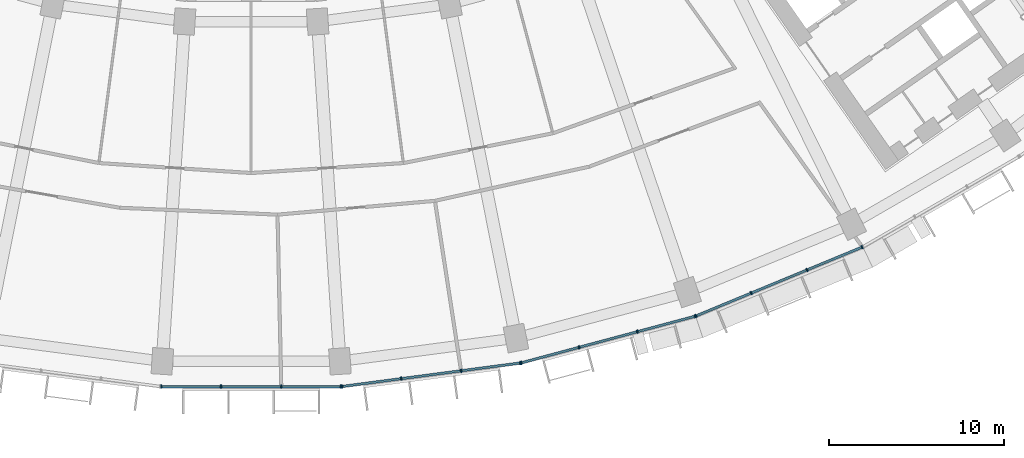
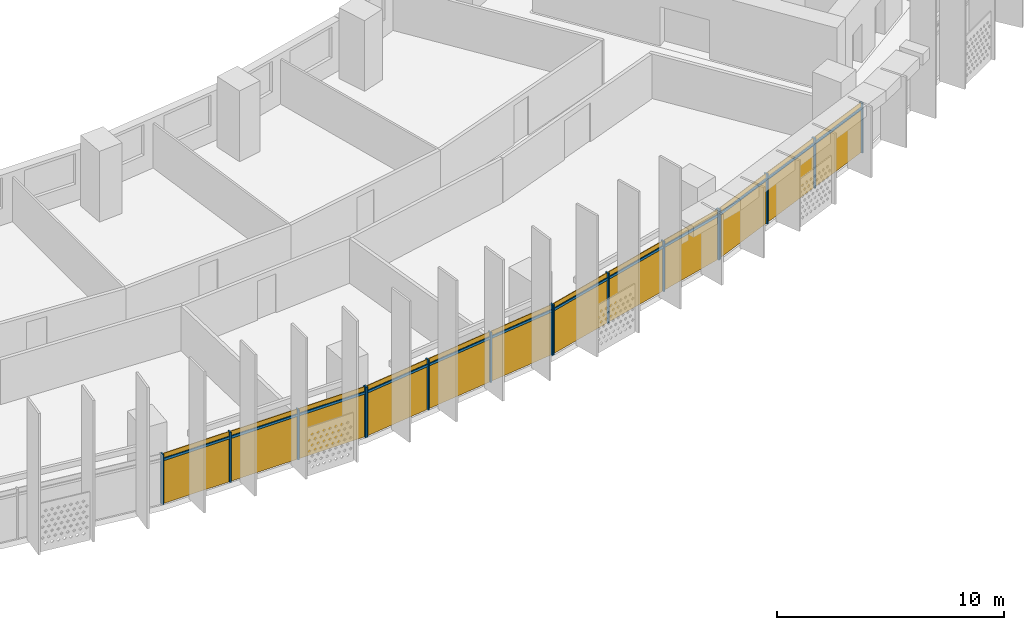
# One storey, part 20 of 29: 28 members, 4 curtain walls.
"""IFC4 building model written with IfcOpenShell, lengths in metres."""

from ifc_helpers import new_model, si_unit, direction, frame, origin, origin_2d, place, context, subcontext, project, spatial, rectangle, extrude, material, material_profile, profile_set, type_object, element, aggregate, save


model = new_model("IFC4")

# Units and contexts
model_context = context("Model", 3, precision=1e-05, world=origin(), true_north=direction((0.0, 1.0)))
body_context = subcontext(model_context, "Body", "Model", "MODEL_VIEW")
ifc_project = project(units=[si_unit("LENGTHUNIT", "METRE"), si_unit("AREAUNIT", "SQUARE_METRE"), si_unit("VOLUMEUNIT", "CUBIC_METRE"), si_unit("PLANEANGLEUNIT", "RADIAN"), si_unit("MASSUNIT", "GRAM", prefix="KILO")], contexts=[model_context])

# Member
ifc_material = material(Name="Aluminium 6063-T6 anodised", Category="aluminium")
ifc_material_profile_1 = material_profile(ifc_material, rectangle(XDim=0.199951171875, YDim=0.070068359375, at=origin_2d()))
ifc_profile_set_1 = profile_set([ifc_material_profile_1], Name="Aluminium 6063-T6 anodised")
member_type_1 = type_object("IfcMemberType", Name="Mullion 70 x 200 aluminium", PredefinedType="MULLION", material=ifc_profile_set_1)
site_placement = place(None, origin())
building_placement = place(site_placement, origin())
storey_placement = place(building_placement, frame((0.0, 0.0, 132.89990234375)))
member_1_placement = place(storey_placement, frame((-5.1513671875, -79.0302734375, 0.0), z_axis=(0.0, 0.0, 1.0), x_axis=(0.0, 1.0, 0.0)))
member_1 = element("IfcMember", 1, at=member_1_placement, type_object=member_type_1, Name="e-cw1-L30-out09/M00", PredefinedType="MULLION", context=body_context, shape_type="SweptSolid", body=[
    extrude(rectangle(XDim=0.199951171875, YDim=0.070068359375, at=origin_2d()), origin(), (0.0, 0.0, 1.0), 2.7001953125),
])

member_2_placement = place(storey_placement, frame((-1.728759765625, -79.0302734375, 0.0), z_axis=(0.0, 0.0, 1.0), x_axis=(0.0, 1.0, 0.0)))
member_2 = element("IfcMember", 2, at=member_2_placement, type_object=member_type_1, Name="e-cw1-L30-out09/M01", PredefinedType="MULLION", context=body_context, shape_type="SweptSolid", body=[
    extrude(rectangle(XDim=0.199951171875, YDim=0.070068359375, at=origin_2d()), origin(), (0.0, 0.0, 1.0), 2.7001953125),
])

member_3_placement = place(storey_placement, frame((1.728759765625, -79.0302734375, 0.0), z_axis=(0.0, 0.0, 1.0), x_axis=(0.0, 1.0, 0.0)))
member_3 = element("IfcMember", 3, at=member_3_placement, type_object=member_type_1, Name="e-cw1-L30-out09/M02", PredefinedType="MULLION", context=body_context, shape_type="SweptSolid", body=[
    extrude(rectangle(XDim=0.199951171875, YDim=0.070068359375, at=origin_2d()), origin(), (0.0, 0.0, 1.0), 2.7001953125),
])

member_4_placement = place(storey_placement, frame((5.1513671875, -79.0302734375, 0.0), z_axis=(0.0, 0.0, 1.0), x_axis=(0.0, 1.0, 0.0)))
member_4 = element("IfcMember", 4, at=member_4_placement, type_object=member_type_1, Name="e-cw1-L30-out09/M03", PredefinedType="MULLION", context=body_context, shape_type="SweptSolid", body=[
    extrude(rectangle(XDim=0.199951171875, YDim=0.070068359375, at=origin_2d()), origin(), (0.0, 0.0, 1.0), 2.7001953125),
])

member_5_placement = place(storey_placement, frame((5.2080078125, -79.026611328125, 0.0), z_axis=(0.0, 0.0, 1.0), x_axis=(-0.13052619222, 0.991444861374, 0.0)))
member_5 = element("IfcMember", 5, at=member_5_placement, type_object=member_type_1, Name="e-cw1-L30-out10/M00", PredefinedType="MULLION", context=body_context, shape_type="SweptSolid", body=[
    extrude(rectangle(XDim=0.199951171875, YDim=0.070068359375, at=origin_2d()), origin(), (0.0, 0.0, 1.0), 2.7001953125),
])

member_6_placement = place(storey_placement, frame((8.6015625, -78.579833984375, 0.0), z_axis=(0.0, 0.0, 1.0), x_axis=(-0.13052619222, 0.991444861374, 0.0)))
member_6 = element("IfcMember", 6, at=member_6_placement, type_object=member_type_1, Name="e-cw1-L30-out10/M01", PredefinedType="MULLION", context=body_context, shape_type="SweptSolid", body=[
    extrude(rectangle(XDim=0.199951171875, YDim=0.070068359375, at=origin_2d()), origin(), (0.0, 0.0, 1.0), 2.7001953125),
])

member_7_placement = place(storey_placement, frame((12.029541015625, -78.12841796875, 0.0), z_axis=(0.0, 0.0, 1.0), x_axis=(-0.13052619222, 0.991444861374, 0.0)))
member_7 = element("IfcMember", 7, at=member_7_placement, type_object=member_type_1, Name="e-cw1-L30-out10/M02", PredefinedType="MULLION", context=body_context, shape_type="SweptSolid", body=[
    extrude(rectangle(XDim=0.199951171875, YDim=0.070068359375, at=origin_2d()), origin(), (0.0, 0.0, 1.0), 2.7001953125),
])

member_8_placement = place(storey_placement, frame((15.4228515625, -77.681640625, 0.0), z_axis=(0.0, 0.0, 1.0), x_axis=(-0.13052619222, 0.991444861374, 0.0)))
member_8 = element("IfcMember", 8, at=member_8_placement, type_object=member_type_1, Name="e-cw1-L30-out10/M03", PredefinedType="MULLION", context=body_context, shape_type="SweptSolid", body=[
    extrude(rectangle(XDim=0.199951171875, YDim=0.070068359375, at=origin_2d()), origin(), (0.0, 0.0, 1.0), 2.7001953125),
])

member_9_placement = place(storey_placement, frame((15.478515625, -77.670654296875, 0.0), z_axis=(0.0, 0.0, 1.0), x_axis=(-0.258819045103, 0.965925826289, 0.0)))
member_9 = element("IfcMember", 9, at=member_9_placement, type_object=member_type_1, Name="e-cw1-L30-out11/M00", PredefinedType="MULLION", context=body_context, shape_type="SweptSolid", body=[
    extrude(rectangle(XDim=0.199951171875, YDim=0.070068359375, at=origin_2d()), origin(), (0.0, 0.0, 1.0), 2.7001953125),
])

member_10_placement = place(storey_placement, frame((18.78466796875, -76.78466796875, 0.0), z_axis=(0.0, 0.0, 1.0), x_axis=(-0.258819045103, 0.965925826289, 0.0)))
member_10 = element("IfcMember", 10, at=member_10_placement, type_object=member_type_1, Name="e-cw1-L30-out11/M01", PredefinedType="MULLION", context=body_context, shape_type="SweptSolid", body=[
    extrude(rectangle(XDim=0.199951171875, YDim=0.070068359375, at=origin_2d()), origin(), (0.0, 0.0, 1.0), 2.7001953125),
])

member_11_placement = place(storey_placement, frame((22.12451171875, -75.889892578125, 0.0), z_axis=(0.0, 0.0, 1.0), x_axis=(-0.258819045103, 0.965925826289, 0.0)))
member_11 = element("IfcMember", 11, at=member_11_placement, type_object=member_type_1, Name="e-cw1-L30-out11/M02", PredefinedType="MULLION", context=body_context, shape_type="SweptSolid", body=[
    extrude(rectangle(XDim=0.199951171875, YDim=0.070068359375, at=origin_2d()), origin(), (0.0, 0.0, 1.0), 2.7001953125),
])

member_12_placement = place(storey_placement, frame((25.430419921875, -75.00390625, 0.0), z_axis=(0.0, 0.0, 1.0), x_axis=(-0.258819045103, 0.965925826289, 0.0)))
member_12 = element("IfcMember", 12, at=member_12_placement, type_object=member_type_1, Name="e-cw1-L30-out11/M03", PredefinedType="MULLION", context=body_context, shape_type="SweptSolid", body=[
    extrude(rectangle(XDim=0.199951171875, YDim=0.070068359375, at=origin_2d()), origin(), (0.0, 0.0, 1.0), 2.7001953125),
])

member_13_placement = place(storey_placement, frame((25.484130859375, -74.98583984375, 0.0), z_axis=(0.0, 0.0, 1.0), x_axis=(-0.382683432365, 0.923879532511, 0.0)))
member_13 = element("IfcMember", 13, at=member_13_placement, type_object=member_type_1, Name="e-cw1-L30-out12/M00", PredefinedType="MULLION", context=body_context, shape_type="SweptSolid", body=[
    extrude(rectangle(XDim=0.199951171875, YDim=0.070068359375, at=origin_2d()), origin(), (0.0, 0.0, 1.0), 2.7001953125),
])

member_14_placement = place(storey_placement, frame((28.646240234375, -73.676025390625, 0.0), z_axis=(0.0, 0.0, 1.0), x_axis=(-0.382683432365, 0.923879532511, 0.0)))
member_14 = element("IfcMember", 14, at=member_14_placement, type_object=member_type_1, Name="e-cw1-L30-out12/M01", PredefinedType="MULLION", context=body_context, shape_type="SweptSolid", body=[
    extrude(rectangle(XDim=0.199951171875, YDim=0.070068359375, at=origin_2d()), origin(), (0.0, 0.0, 1.0), 2.7001953125),
])

member_15_placement = place(storey_placement, frame((31.8408203125, -72.352783203125, 0.0), z_axis=(0.0, 0.0, 1.0), x_axis=(-0.382683432365, 0.923879532511, 0.0)))
member_15 = element("IfcMember", 15, at=member_15_placement, type_object=member_type_1, Name="e-cw1-L30-out12/M02", PredefinedType="MULLION", context=body_context, shape_type="SweptSolid", body=[
    extrude(rectangle(XDim=0.199951171875, YDim=0.070068359375, at=origin_2d()), origin(), (0.0, 0.0, 1.0), 2.7001953125),
])

member_16_placement = place(storey_placement, frame((35.0029296875, -71.04296875, 0.0), z_axis=(0.0, 0.0, 1.0), x_axis=(-0.382683432365, 0.923879532511, 0.0)))
member_16 = element("IfcMember", 16, at=member_16_placement, type_object=member_type_1, Name="e-cw1-L30-out12/M03", PredefinedType="MULLION", context=body_context, shape_type="SweptSolid", body=[
    extrude(rectangle(XDim=0.199951171875, YDim=0.070068359375, at=origin_2d()), origin(), (0.0, 0.0, 1.0), 2.7001953125),
])

ifc_material_profile_2 = material_profile(ifc_material, rectangle(XDim=0.139892578125, YDim=0.1201171875, at=origin_2d()))
ifc_profile_set_2 = profile_set([ifc_material_profile_2], Name="Aluminium 6063-T6 anodised")
member_type_2 = type_object("IfcMemberType", Name="Transom 120 x 140 aluminium", PredefinedType="USERDEFINED", material=ifc_profile_set_2)
member_17_placement = place(storey_placement, frame((-5.116455078125, -79.0302734375, 2.400146484375), z_axis=(1.0, 0.0, 0.0), x_axis=(0.0, 1.0, 0.0)))
member_17 = element("IfcMember", 17, at=member_17_placement, type_object=member_type_2, Name="e-cw1-L30-out09/T00", ObjectType="TRANSOM", PredefinedType="USERDEFINED", context=body_context, shape_type="SweptSolid", body=[
    extrude(rectangle(XDim=0.139892578125, YDim=0.1201171875, at=origin_2d()), origin(), (0.0, 0.0, 1.0), 3.3525390625),
])

member_18_placement = place(storey_placement, frame((-1.69384765625, -79.0302734375, 2.400146484375), z_axis=(1.0, 0.0, 0.0), x_axis=(0.0, 1.0, 0.0)))
member_18 = element("IfcMember", 18, at=member_18_placement, type_object=member_type_2, Name="e-cw1-L30-out09/T01", ObjectType="TRANSOM", PredefinedType="USERDEFINED", context=body_context, shape_type="SweptSolid", body=[
    extrude(rectangle(XDim=0.139892578125, YDim=0.1201171875, at=origin_2d()), origin(), (0.0, 0.0, 1.0), 3.3876953125),
])

member_19_placement = place(storey_placement, frame((1.763916015625, -79.0302734375, 2.400146484375), z_axis=(1.0, 0.0, 0.0), x_axis=(0.0, 1.0, 0.0)))
member_19 = element("IfcMember", 19, at=member_19_placement, type_object=member_type_2, Name="e-cw1-L30-out09/T02", ObjectType="TRANSOM", PredefinedType="USERDEFINED", context=body_context, shape_type="SweptSolid", body=[
    extrude(rectangle(XDim=0.139892578125, YDim=0.1201171875, at=origin_2d()), origin(), (0.0, 0.0, 1.0), 3.3525390625),
])

member_20_placement = place(storey_placement, frame((5.242919921875, -79.02197265625, 2.400146484375), z_axis=(0.991439665896, 0.130565649721, 0.0), x_axis=(-0.130565649721, 0.991439665896, 0.0)))
member_20 = element("IfcMember", 20, at=member_20_placement, type_object=member_type_2, Name="e-cw1-L30-out10/T00", ObjectType="TRANSOM", PredefinedType="USERDEFINED", context=body_context, shape_type="SweptSolid", body=[
    extrude(rectangle(XDim=0.139892578125, YDim=0.1201171875, at=origin_2d()), origin(), (0.0, 0.0, 1.0), 3.352783203125),
])

member_21_placement = place(storey_placement, frame((8.63623046875, -78.5751953125, 2.400146484375), z_axis=(0.991446198807, 0.130516033004, 0.0), x_axis=(-0.130516033004, 0.991446198807, 0.0)))
member_21 = element("IfcMember", 21, at=member_21_placement, type_object=member_type_2, Name="e-cw1-L30-out10/T01", ObjectType="TRANSOM", PredefinedType="USERDEFINED", context=body_context, shape_type="SweptSolid", body=[
    extrude(rectangle(XDim=0.139892578125, YDim=0.1201171875, at=origin_2d()), origin(), (0.0, 0.0, 1.0), 3.3876953125),
])

member_22_placement = place(storey_placement, frame((12.064208984375, -78.123779296875, 2.400146484375), z_axis=(0.991449089759, 0.130494070426, 0.0), x_axis=(-0.130494070426, 0.991449089759, 0.0)))
member_22 = element("IfcMember", 22, at=member_22_placement, type_object=member_type_2, Name="e-cw1-L30-out10/T02", ObjectType="TRANSOM", PredefinedType="USERDEFINED", context=body_context, shape_type="SweptSolid", body=[
    extrude(rectangle(XDim=0.139892578125, YDim=0.1201171875, at=origin_2d()), origin(), (0.0, 0.0, 1.0), 3.3525390625),
])

member_23_placement = place(storey_placement, frame((15.512451171875, -77.66162109375, 2.400146484375), z_axis=(0.965927247937, 0.258813739382, 0.0), x_axis=(-0.258813739382, 0.965927247937, 0.0)))
member_23 = element("IfcMember", 23, at=member_23_placement, type_object=member_type_2, Name="e-cw1-L30-out11/T00", ObjectType="TRANSOM", PredefinedType="USERDEFINED", context=body_context, shape_type="SweptSolid", body=[
    extrude(rectangle(XDim=0.139892578125, YDim=0.1201171875, at=origin_2d()), origin(), (0.0, 0.0, 1.0), 3.3525390625),
])

member_24_placement = place(storey_placement, frame((18.818359375, -76.775634765625, 2.400146484375), z_axis=(0.965931646033, 0.258797324547, 0.0), x_axis=(-0.258797324547, 0.965931646033, 0.0)))
member_24 = element("IfcMember", 24, at=member_24_placement, type_object=member_type_2, Name="e-cw1-L30-out11/T01", ObjectType="TRANSOM", PredefinedType="USERDEFINED", context=body_context, shape_type="SweptSolid", body=[
    extrude(rectangle(XDim=0.139892578125, YDim=0.1201171875, at=origin_2d()), origin(), (0.0, 0.0, 1.0), 3.3876953125),
])

member_25_placement = place(storey_placement, frame((22.158203125, -75.880859375, 2.400146484375), z_axis=(0.965932125453, 0.258795535157, 0.0), x_axis=(-0.258795535157, 0.965932125453, 0.0)))
member_25 = element("IfcMember", 25, at=member_25_placement, type_object=member_type_2, Name="e-cw1-L30-out11/T02", ObjectType="TRANSOM", PredefinedType="USERDEFINED", context=body_context, shape_type="SweptSolid", body=[
    extrude(rectangle(XDim=0.139892578125, YDim=0.1201171875, at=origin_2d()), origin(), (0.0, 0.0, 1.0), 3.352783203125),
])

member_26_placement = place(storey_placement, frame((25.5166015625, -74.972412109375, 2.400146484375), z_axis=(0.923882814237, 0.382675509483, 0.0), x_axis=(-0.382675509483, 0.923882814237, 0.0)))
member_26 = element("IfcMember", 26, at=member_26_placement, type_object=member_type_2, Name="e-cw1-L30-out12/T00", ObjectType="TRANSOM", PredefinedType="USERDEFINED", context=body_context, shape_type="SweptSolid", body=[
    extrude(rectangle(XDim=0.139892578125, YDim=0.1201171875, at=origin_2d()), origin(), (0.0, 0.0, 1.0), 3.3525390625),
])

member_27_placement = place(storey_placement, frame((28.6787109375, -73.66259765625, 2.400146484375), z_axis=(0.923874529423, 0.382695510666, 0.0), x_axis=(-0.382695510666, 0.923874529423, 0.0)))
member_27 = element("IfcMember", 27, at=member_27_placement, type_object=member_type_2, Name="e-cw1-L30-out12/T01", ObjectType="TRANSOM", PredefinedType="USERDEFINED", context=body_context, shape_type="SweptSolid", body=[
    extrude(rectangle(XDim=0.139892578125, YDim=0.1201171875, at=origin_2d()), origin(), (0.0, 0.0, 1.0), 3.387451171875),
])

member_28_placement = place(storey_placement, frame((31.873046875, -72.33935546875, 2.400146484375), z_axis=(0.923882814237, 0.382675509483, 0.0), x_axis=(-0.382675509483, 0.923882814237, 0.0)))
member_28 = element("IfcMember", 28, at=member_28_placement, type_object=member_type_2, Name="e-cw1-L30-out12/T02", ObjectType="TRANSOM", PredefinedType="USERDEFINED", context=body_context, shape_type="SweptSolid", body=[
    extrude(rectangle(XDim=0.139892578125, YDim=0.1201171875, at=origin_2d()), origin(), (0.0, 0.0, 1.0), 3.3525390625),
])

# Site, building, storey
site = spatial("IfcSite", under=ifc_project, at=site_placement, CompositionType="ELEMENT")
building = spatial("IfcBuilding", under=site, at=building_placement, Name="Qamariyya Broadcast Tower", CompositionType="ELEMENT")
storey = spatial("IfcBuildingStorey", under=building, at=storey_placement, Name="L30", CompositionType="ELEMENT", Elevation=132.89990234375)

# Curtain wall
curtain_wall_type = type_object("IfcCurtainWallType", Name="Unitised curtain wall, anodised aluminium", PredefinedType="NOTDEFINED", material=ifc_material)
curtain_wall_1_placement = place(storey_placement, origin())
curtain_wall_1 = element("IfcCurtainWall", 29, at=curtain_wall_1_placement, inside=storey, type_object=curtain_wall_type, Name="e-cw1-L30-out09", PredefinedType="NOTDEFINED", context=body_context, shape_type="SweptSolid", body=[
    extrude(rectangle(XDim=3.352783203125, YDim=0.031982421875, at=origin_2d()), frame((-3.440185546875, -79.0302734375, 0.0), x_axis=(1.0, 0.0, 0.0)), (0.0, 0.0, 1.0), 2.340087890625),
    extrude(rectangle(XDim=3.352783203125, YDim=0.031982421875, at=origin_2d()), frame((-3.440185546875, -79.0302734375, 2.460205078125), x_axis=(1.0, 0.0, 0.0)), (0.0, 0.0, 1.0), 0.239990234375),
    extrude(rectangle(XDim=3.3876953125, YDim=0.031982421875, at=origin_2d()), frame((0.0, -79.0302734375, 0.0), x_axis=(1.0, 0.0, 0.0)), (0.0, 0.0, 1.0), 2.340087890625),
    extrude(rectangle(XDim=3.3876953125, YDim=0.031982421875, at=origin_2d()), frame((0.0, -79.0302734375, 2.460205078125), x_axis=(1.0, 0.0, 0.0)), (0.0, 0.0, 1.0), 0.239990234375),
    extrude(rectangle(XDim=3.352783203125, YDim=0.031982421875, at=origin_2d()), frame((3.440185546875, -79.0302734375, 0.0), x_axis=(1.0, 0.0, 0.0)), (0.0, 0.0, 1.0), 2.340087890625),
    extrude(rectangle(XDim=3.352783203125, YDim=0.031982421875, at=origin_2d()), frame((3.440185546875, -79.0302734375, 2.460205078125), x_axis=(1.0, 0.0, 0.0)), (0.0, 0.0, 1.0), 0.239990234375),
])

aggregate(curtain_wall_1, [member_1, member_2, member_3, member_4, member_17, member_18, member_19])

curtain_wall_2_placement = place(storey_placement, origin())
curtain_wall_2 = element("IfcCurtainWall", 30, at=curtain_wall_2_placement, inside=storey, type_object=curtain_wall_type, Name="e-cw1-L30-out10", PredefinedType="NOTDEFINED", context=body_context, shape_type="SweptSolid", body=[
    extrude(rectangle(XDim=3.3525390625, YDim=0.031982421875, at=origin_2d()), frame((6.90478515625, -78.802978515625, 0.0), x_axis=(0.991447084105, 0.13050930779, 0.0)), (0.0, 0.0, 1.0), 2.340087890625),
    extrude(rectangle(XDim=3.3525390625, YDim=0.031982421875, at=origin_2d()), frame((6.90478515625, -78.802978515625, 2.460205078125), x_axis=(0.991447084105, 0.13050930779, 0.0)), (0.0, 0.0, 1.0), 0.239990234375),
    extrude(rectangle(XDim=3.3876953125, YDim=0.031982421875, at=origin_2d()), frame((10.3154296875, -78.35400390625, 0.0), x_axis=(0.991447084105, 0.13050930779, 0.0)), (0.0, 0.0, 1.0), 2.340087890625),
    extrude(rectangle(XDim=3.3876953125, YDim=0.031982421875, at=origin_2d()), frame((10.3154296875, -78.35400390625, 2.460205078125), x_axis=(0.991447084105, 0.13050930779, 0.0)), (0.0, 0.0, 1.0), 0.239990234375),
    extrude(rectangle(XDim=3.3525390625, YDim=0.031982421875, at=origin_2d()), frame((13.72607421875, -77.9052734375, 0.0), x_axis=(0.991447084105, 0.13050930779, 0.0)), (0.0, 0.0, 1.0), 2.340087890625),
    extrude(rectangle(XDim=3.3525390625, YDim=0.031982421875, at=origin_2d()), frame((13.72607421875, -77.9052734375, 2.460205078125), x_axis=(0.991447084105, 0.13050930779, 0.0)), (0.0, 0.0, 1.0), 0.239990234375),
])

aggregate(curtain_wall_2, [member_5, member_6, member_7, member_8, member_20, member_21, member_22])

curtain_wall_3_placement = place(storey_placement, origin())
curtain_wall_3 = element("IfcCurtainWall", 31, at=curtain_wall_3_placement, inside=storey, type_object=curtain_wall_type, Name="e-cw1-L30-out11", PredefinedType="NOTDEFINED", context=body_context, shape_type="SweptSolid", body=[
    extrude(rectangle(XDim=3.352783203125, YDim=0.031982421875, at=origin_2d()), frame((17.131591796875, -77.227783203125, 0.0), x_axis=(0.965923677743, 0.258827063454, 0.0)), (0.0, 0.0, 1.0), 2.340087890625),
    extrude(rectangle(XDim=3.352783203125, YDim=0.031982421875, at=origin_2d()), frame((17.131591796875, -77.227783203125, 2.460205078125), x_axis=(0.965923677743, 0.258827063454, 0.0)), (0.0, 0.0, 1.0), 0.239990234375),
    extrude(rectangle(XDim=3.3876953125, YDim=0.031982421875, at=origin_2d()), frame((20.45458984375, -76.33740234375, 0.0), x_axis=(0.965923677743, 0.258827063454, 0.0)), (0.0, 0.0, 1.0), 2.340087890625),
    extrude(rectangle(XDim=3.3876953125, YDim=0.031982421875, at=origin_2d()), frame((20.45458984375, -76.33740234375, 2.460205078125), x_axis=(0.965923677743, 0.258827063454, 0.0)), (0.0, 0.0, 1.0), 0.239990234375),
    extrude(rectangle(XDim=3.352783203125, YDim=0.031982421875, at=origin_2d()), frame((23.777587890625, -75.44677734375, 0.0), x_axis=(0.965923677743, 0.258827063454, 0.0)), (0.0, 0.0, 1.0), 2.340087890625),
    extrude(rectangle(XDim=3.352783203125, YDim=0.031982421875, at=origin_2d()), frame((23.777587890625, -75.44677734375, 2.460205078125), x_axis=(0.965923677743, 0.258827063454, 0.0)), (0.0, 0.0, 1.0), 0.239990234375),
])

aggregate(curtain_wall_3, [member_9, member_10, member_11, member_12, member_23, member_24, member_25])

curtain_wall_4_placement = place(storey_placement, origin())
curtain_wall_4 = element("IfcCurtainWall", 32, at=curtain_wall_4_placement, inside=storey, type_object=curtain_wall_type, Name="e-cw1-L30-out12", PredefinedType="NOTDEFINED", context=body_context, shape_type="SweptSolid", body=[
    extrude(rectangle(XDim=3.3525390625, YDim=0.031982421875, at=origin_2d()), frame((27.065185546875, -74.3310546875, 0.0), x_axis=(0.923872250857, 0.382701011361, 0.0)), (0.0, 0.0, 1.0), 2.340087890625),
    extrude(rectangle(XDim=3.3525390625, YDim=0.031982421875, at=origin_2d()), frame((27.065185546875, -74.3310546875, 2.460205078125), x_axis=(0.923872250857, 0.382701011361, 0.0)), (0.0, 0.0, 1.0), 0.239990234375),
    extrude(rectangle(XDim=3.3876953125, YDim=0.031982421875, at=origin_2d()), frame((30.24365234375, -73.014404296875, 0.0), x_axis=(0.923872250857, 0.382701011361, 0.0)), (0.0, 0.0, 1.0), 2.340087890625),
    extrude(rectangle(XDim=3.3876953125, YDim=0.031982421875, at=origin_2d()), frame((30.24365234375, -73.014404296875, 2.460205078125), x_axis=(0.923872250857, 0.382701011361, 0.0)), (0.0, 0.0, 1.0), 0.239990234375),
    extrude(rectangle(XDim=3.3525390625, YDim=0.031982421875, at=origin_2d()), frame((33.421875, -71.69775390625, 0.0), x_axis=(0.923872250857, 0.382701011361, 0.0)), (0.0, 0.0, 1.0), 2.340087890625),
    extrude(rectangle(XDim=3.3525390625, YDim=0.031982421875, at=origin_2d()), frame((33.421875, -71.69775390625, 2.460205078125), x_axis=(0.923872250857, 0.382701011361, 0.0)), (0.0, 0.0, 1.0), 0.239990234375),
])

aggregate(curtain_wall_4, [member_13, member_14, member_15, member_16, member_26, member_27, member_28])

save(model, "model.ifc")
